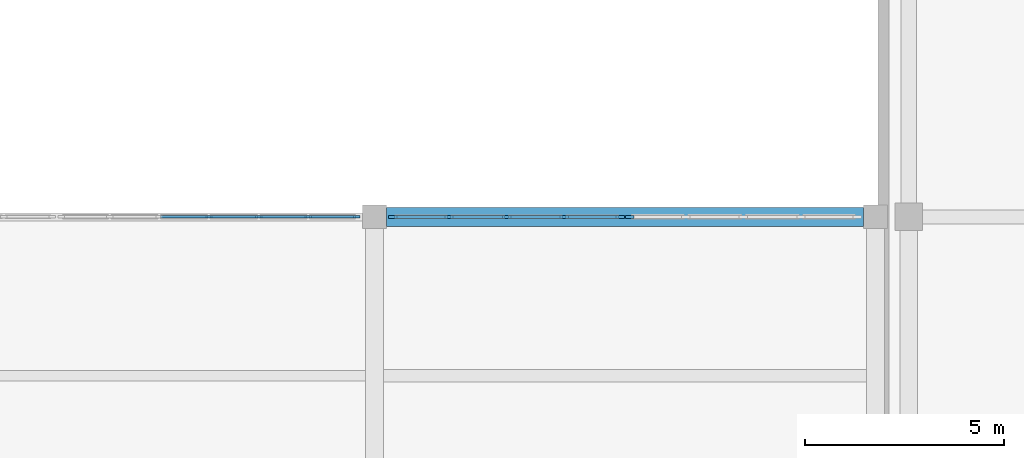
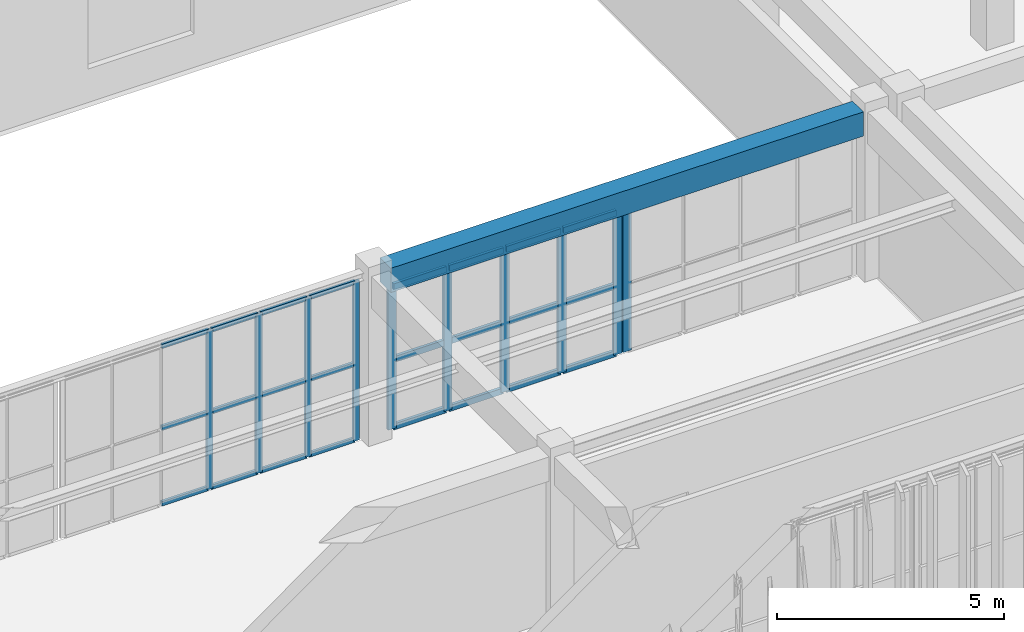
# One storey, part 19 of 64: 34 members, 1 beam, 3 elements without a shape of their own.
"""IFC4 building model written with IfcOpenShell, lengths in metres."""

from ifc_helpers import new_model, si_unit, direction, frame, origin, origin_2d, place, context, subcontext, project, spatial, rectangle, extrude, material, layer, layer_set, material_profile, profile_set, type_object, element, aggregate, save


model = new_model("IFC4")

# Units and contexts
model_context = context("Model", 3, precision=1e-05, world=origin(), true_north=direction((0.0, 1.0)))
body_context = subcontext(model_context, "Body", "Model", "MODEL_VIEW")
ifc_project = project(units=[si_unit("LENGTHUNIT", "METRE"), si_unit("AREAUNIT", "SQUARE_METRE"), si_unit("VOLUMEUNIT", "CUBIC_METRE"), si_unit("PLANEANGLEUNIT", "RADIAN"), si_unit("MASSUNIT", "GRAM", prefix="KILO")], contexts=[model_context])

# Site, building, storey
site_placement = place(None, origin())
site = spatial("IfcSite", under=ifc_project, at=site_placement, CompositionType="ELEMENT")
building_placement = place(site_placement, origin())
building = spatial("IfcBuilding", under=site, at=building_placement, Name="Cinchona Park Media Centre", CompositionType="ELEMENT")
storey_placement = place(building_placement, frame((0.0, 0.0, 5.39990234375)))
storey = spatial("IfcBuildingStorey", under=building, at=storey_placement, Name="L01", CompositionType="ELEMENT", Elevation=5.39990234375)

# Beam
ifc_material_1 = material(Name="Concrete C40/50", Category="concrete")
ifc_material_profile_1 = material_profile(ifc_material_1, rectangle(XDim=0.47998046875, YDim=0.64990234375, at=origin_2d()), Name="RB 480X650")
ifc_profile_set_1 = profile_set([ifc_material_profile_1], Name="Concrete C40/50")
beam_type = type_object("IfcBeamType", Name="BEAM-B07-RB480X650", PredefinedType="BEAM", material=ifc_profile_set_1)
beam_placement = place(storey_placement, frame((127.10009765625, 87.60009765625, 4.215087890625), z_axis=(1.0, 0.0, 0.0), x_axis=(0.0, 1.0, 0.0)))
element("IfcBeam", 1, at=beam_placement, inside=storey, type_object=beam_type, Name="Beam B07 L01", PredefinedType="BEAM", context=body_context, shape_type="SweptSolid", body=[
    extrude(rectangle(XDim=0.47998046875, YDim=0.64990234375, at=origin_2d()), origin(), (0.0, 0.0, 1.0), 12.0),
])

# Curtain wall, members
ifc_material_2 = material(Name="Aluminium Curtain Wall Framing", Category="aluminium")
ifc_layer_1 = layer(ifc_material_2, 0.195068359375)
ifc_layer_set_1 = layer_set([ifc_layer_1], Name="Aluminium Curtain Wall Framing")
curtain_wall_type_1 = type_object("IfcCurtainWallType", Name="CW-CW02", PredefinedType="USERDEFINED", material=ifc_layer_set_1)
curtain_wall_1_placement = place(storey_placement, origin())
curtain_wall_1 = element("IfcCurtainWall", 2, at=curtain_wall_1_placement, inside=storey, type_object=curtain_wall_type_1, Name="Curtain Wall CW02 L01", ObjectType="UNITISED CURTAIN WALL", PredefinedType="USERDEFINED")
ifc_material_3 = material(Name="Anodised Aluminium Alloy 6063-T6", Category="aluminium")
ifc_material_profile_2 = material_profile(ifc_material_3, rectangle(XDim=0.06494140625, YDim=0.159912109375, at=origin_2d()), Name="MUL-65X160")
ifc_profile_set_2 = profile_set([ifc_material_profile_2], Name="Anodised Aluminium Alloy 6063-T6")
member_type_1 = type_object("IfcMemberType", Name="MULLION-MUL01", PredefinedType="MULLION", material=ifc_profile_set_2)
member_1_placement = place(storey_placement, frame((122.6298828125, 87.60009765625, 0.050048828125), z_axis=(0.0, 0.0, 1.0), x_axis=(0.0, 1.0, 0.0)))
member_1 = element("IfcMember", 3, at=member_1_placement, type_object=member_type_1, Name="CW02 mullion 4", PredefinedType="MULLION", context=body_context, shape_type="SweptSolid", body=[
    extrude(rectangle(XDim=0.06494140625, YDim=0.159912109375, at=origin_2d()), origin(), (0.0, 0.0, 1.0), 4.287109375),
])
member_2_placement = place(storey_placement, frame((123.8798828125, 87.60009765625, 0.050048828125), z_axis=(0.0, 0.0, 1.0), x_axis=(0.0, 1.0, 0.0)))
member_2 = element("IfcMember", 4, at=member_2_placement, type_object=member_type_1, Name="CW02 mullion 5", PredefinedType="MULLION", context=body_context, shape_type="SweptSolid", body=[
    extrude(rectangle(XDim=0.06494140625, YDim=0.159912109375, at=origin_2d()), origin(), (0.0, 0.0, 1.0), 4.287109375),
])
member_3_placement = place(storey_placement, frame((125.1298828125, 87.60009765625, 0.050048828125), z_axis=(0.0, 0.0, 1.0), x_axis=(0.0, 1.0, 0.0)))
member_3 = element("IfcMember", 5, at=member_3_placement, type_object=member_type_1, Name="CW02 mullion 6", PredefinedType="MULLION", context=body_context, shape_type="SweptSolid", body=[
    extrude(rectangle(XDim=0.06494140625, YDim=0.159912109375, at=origin_2d()), origin(), (0.0, 0.0, 1.0), 4.287109375),
])
member_4_placement = place(storey_placement, frame((126.347412109375, 87.60009765625, 0.050048828125), z_axis=(0.0, 0.0, 1.0), x_axis=(0.0, 1.0, 0.0)))
member_4 = element("IfcMember", 6, at=member_4_placement, type_object=member_type_1, Name="CW02 mullion 7", PredefinedType="MULLION", context=body_context, shape_type="SweptSolid", body=[
    extrude(rectangle(XDim=0.06494140625, YDim=0.159912109375, at=origin_2d()), origin(), (0.0, 0.0, 1.0), 4.287109375),
])

ifc_material_4 = material(Name="Aluminium Curtain Wall Framing", Category="aluminium")
ifc_layer_2 = layer(ifc_material_4, 0.2099609375)
ifc_layer_set_2 = layer_set([ifc_layer_2], Name="Aluminium Curtain Wall Framing")
curtain_wall_type_2 = type_object("IfcCurtainWallType", Name="CW-CW03", PredefinedType="USERDEFINED", material=ifc_layer_set_2)
curtain_wall_2_placement = place(storey_placement, origin())
curtain_wall_2 = element("IfcCurtainWall", 7, at=curtain_wall_2_placement, inside=storey, type_object=curtain_wall_type_2, Name="Curtain Wall CW03 L01", ObjectType="UNITISED CURTAIN WALL", PredefinedType="USERDEFINED")
ifc_material_5 = material(Name="Anodised Aluminium Alloy 6063-T6", Category="aluminium")
ifc_material_profile_3 = material_profile(ifc_material_5, rectangle(XDim=0.074951171875, YDim=0.2099609375, at=origin_2d()), Name="MUL-75X210")
ifc_profile_set_3 = profile_set([ifc_material_profile_3], Name="Anodised Aluminium Alloy 6063-T6")
member_type_2 = type_object("IfcMemberType", Name="MULLION-MUL03", PredefinedType="MULLION", material=ifc_profile_set_3)
member_5_placement = place(storey_placement, frame((127.257568359375, 87.60009765625, 0.050048828125), z_axis=(0.0, 0.0, 1.0), x_axis=(0.0, 1.0, 0.0)))
member_5 = element("IfcMember", 8, at=member_5_placement, type_object=member_type_2, Name="CW03 mullion 1", PredefinedType="MULLION", context=body_context, shape_type="SweptSolid", body=[
    extrude(rectangle(XDim=0.074951171875, YDim=0.2099609375, at=origin_2d()), origin(), (0.0, 0.0, 1.0), 3.840087890625),
])
member_6_placement = place(storey_placement, frame((128.669921875, 87.60009765625, 0.050048828125), z_axis=(0.0, 0.0, 1.0), x_axis=(0.0, 1.0, 0.0)))
member_6 = element("IfcMember", 9, at=member_6_placement, type_object=member_type_2, Name="CW03 mullion 2", PredefinedType="MULLION", context=body_context, shape_type="SweptSolid", body=[
    extrude(rectangle(XDim=0.074951171875, YDim=0.2099609375, at=origin_2d()), origin(), (0.0, 0.0, 1.0), 3.840087890625),
])
member_7_placement = place(storey_placement, frame((130.1201171875, 87.60009765625, 0.050048828125), z_axis=(0.0, 0.0, 1.0), x_axis=(0.0, 1.0, 0.0)))
member_7 = element("IfcMember", 10, at=member_7_placement, type_object=member_type_2, Name="CW03 mullion 3", PredefinedType="MULLION", context=body_context, shape_type="SweptSolid", body=[
    extrude(rectangle(XDim=0.074951171875, YDim=0.2099609375, at=origin_2d()), origin(), (0.0, 0.0, 1.0), 3.840087890625),
])
member_8_placement = place(storey_placement, frame((131.570068359375, 87.60009765625, 0.050048828125), z_axis=(0.0, 0.0, 1.0), x_axis=(0.0, 1.0, 0.0)))
member_8 = element("IfcMember", 11, at=member_8_placement, type_object=member_type_2, Name="CW03 mullion 4", PredefinedType="MULLION", context=body_context, shape_type="SweptSolid", body=[
    extrude(rectangle(XDim=0.074951171875, YDim=0.2099609375, at=origin_2d()), origin(), (0.0, 0.0, 1.0), 3.840087890625),
])
member_9_placement = place(storey_placement, frame((132.982421875, 87.60009765625, 0.050048828125), z_axis=(0.0, 0.0, 1.0), x_axis=(0.0, 1.0, 0.0)))
member_9 = element("IfcMember", 12, at=member_9_placement, type_object=member_type_2, Name="CW03 mullion 5", PredefinedType="MULLION", context=body_context, shape_type="SweptSolid", body=[
    extrude(rectangle(XDim=0.074951171875, YDim=0.2099609375, at=origin_2d()), origin(), (0.0, 0.0, 1.0), 3.840087890625),
])

# Curtain wall, member
ifc_material_6 = material(Name="Aluminium Curtain Wall Framing", Category="aluminium")
ifc_layer_3 = layer(ifc_material_6, 0.22509765625)
ifc_layer_set_3 = layer_set([ifc_layer_3], Name="Aluminium Curtain Wall Framing")
curtain_wall_type_3 = type_object("IfcCurtainWallType", Name="CW-CW04", PredefinedType="USERDEFINED", material=ifc_layer_set_3)
curtain_wall_3_placement = place(storey_placement, origin())
curtain_wall_3 = element("IfcCurtainWall", 13, at=curtain_wall_3_placement, inside=storey, type_object=curtain_wall_type_3, Name="Curtain Wall CW04 L01", ObjectType="UNITISED CURTAIN WALL", PredefinedType="USERDEFINED")
member_10_placement = place(storey_placement, frame((133.217529296875, 87.60009765625, 0.050048828125), z_axis=(0.0, 0.0, 1.0), x_axis=(0.0, 1.0, 0.0)))
member_10 = element("IfcMember", 14, at=member_10_placement, type_object=member_type_2, Name="CW04 mullion 1", PredefinedType="MULLION", context=body_context, shape_type="SweptSolid", body=[
    extrude(rectangle(XDim=0.074951171875, YDim=0.2099609375, at=origin_2d()), origin(), (0.0, 0.0, 1.0), 3.840087890625),
])
aggregate(curtain_wall_3, [member_10])

# Member
ifc_material_7 = material(Name="Anodised Aluminium Alloy 6063-T6", Category="aluminium")
ifc_material_profile_4 = material_profile(ifc_material_7, rectangle(XDim=0.06494140625, YDim=0.1201171875, at=origin_2d()), Name="TRN-65X120")
ifc_profile_set_4 = profile_set([ifc_material_profile_4], Name="Anodised Aluminium Alloy 6063-T6")
member_type_3 = type_object("IfcMemberType", Name="TRANSOM-TRN01", PredefinedType="USERDEFINED", material=ifc_profile_set_4)
member_11_placement = place(storey_placement, frame((121.41259765625, 87.60009765625, 0.08251953125), z_axis=(1.0, 0.0, 0.0), x_axis=(0.0, 1.0, 0.0)))
member_11 = element("IfcMember", 15, at=member_11_placement, type_object=member_type_3, Name="CW02 transom 3.1", ObjectType="TRANSOM", PredefinedType="USERDEFINED", context=body_context, shape_type="SweptSolid", body=[
    extrude(rectangle(XDim=0.06494140625, YDim=0.1201171875, at=origin_2d()), origin(), (0.0, 0.0, 1.0), 1.184814453125),
])

member_12_placement = place(storey_placement, frame((121.41259765625, 87.60009765625, 2.108154296875), z_axis=(1.0, 0.0, 0.0), x_axis=(0.0, 1.0, 0.0)))
member_12 = element("IfcMember", 16, at=member_12_placement, type_object=member_type_3, Name="CW02 transom 3.2", ObjectType="TRANSOM", PredefinedType="USERDEFINED", context=body_context, shape_type="SweptSolid", body=[
    extrude(rectangle(XDim=0.06494140625, YDim=0.1201171875, at=origin_2d()), origin(), (0.0, 0.0, 1.0), 1.184814453125),
])

member_13_placement = place(storey_placement, frame((121.41259765625, 87.60009765625, 4.3046875), z_axis=(1.0, 0.0, 0.0), x_axis=(0.0, 1.0, 0.0)))
member_13 = element("IfcMember", 17, at=member_13_placement, type_object=member_type_3, Name="CW02 transom 3.3", ObjectType="TRANSOM", PredefinedType="USERDEFINED", context=body_context, shape_type="SweptSolid", body=[
    extrude(rectangle(XDim=0.06494140625, YDim=0.1201171875, at=origin_2d()), origin(), (0.0, 0.0, 1.0), 1.184814453125),
])

member_14_placement = place(storey_placement, frame((122.66259765625, 87.60009765625, 0.08251953125), z_axis=(1.0, 0.0, 0.0), x_axis=(0.0, 1.0, 0.0)))
member_14 = element("IfcMember", 18, at=member_14_placement, type_object=member_type_3, Name="CW02 transom 4.1", ObjectType="TRANSOM", PredefinedType="USERDEFINED", context=body_context, shape_type="SweptSolid", body=[
    extrude(rectangle(XDim=0.06494140625, YDim=0.1201171875, at=origin_2d()), origin(), (0.0, 0.0, 1.0), 1.184814453125),
])

member_15_placement = place(storey_placement, frame((122.66259765625, 87.60009765625, 2.108154296875), z_axis=(1.0, 0.0, 0.0), x_axis=(0.0, 1.0, 0.0)))
member_15 = element("IfcMember", 19, at=member_15_placement, type_object=member_type_3, Name="CW02 transom 4.2", ObjectType="TRANSOM", PredefinedType="USERDEFINED", context=body_context, shape_type="SweptSolid", body=[
    extrude(rectangle(XDim=0.06494140625, YDim=0.1201171875, at=origin_2d()), origin(), (0.0, 0.0, 1.0), 1.184814453125),
])

member_16_placement = place(storey_placement, frame((122.66259765625, 87.60009765625, 4.3046875), z_axis=(1.0, 0.0, 0.0), x_axis=(0.0, 1.0, 0.0)))
member_16 = element("IfcMember", 20, at=member_16_placement, type_object=member_type_3, Name="CW02 transom 4.3", ObjectType="TRANSOM", PredefinedType="USERDEFINED", context=body_context, shape_type="SweptSolid", body=[
    extrude(rectangle(XDim=0.06494140625, YDim=0.1201171875, at=origin_2d()), origin(), (0.0, 0.0, 1.0), 1.184814453125),
])

member_17_placement = place(storey_placement, frame((123.91259765625, 87.60009765625, 0.08251953125), z_axis=(1.0, 0.0, 0.0), x_axis=(0.0, 1.0, 0.0)))
member_17 = element("IfcMember", 21, at=member_17_placement, type_object=member_type_3, Name="CW02 transom 5.1", ObjectType="TRANSOM", PredefinedType="USERDEFINED", context=body_context, shape_type="SweptSolid", body=[
    extrude(rectangle(XDim=0.06494140625, YDim=0.1201171875, at=origin_2d()), origin(), (0.0, 0.0, 1.0), 1.184814453125),
])

member_18_placement = place(storey_placement, frame((123.91259765625, 87.60009765625, 2.108154296875), z_axis=(1.0, 0.0, 0.0), x_axis=(0.0, 1.0, 0.0)))
member_18 = element("IfcMember", 22, at=member_18_placement, type_object=member_type_3, Name="CW02 transom 5.2", ObjectType="TRANSOM", PredefinedType="USERDEFINED", context=body_context, shape_type="SweptSolid", body=[
    extrude(rectangle(XDim=0.06494140625, YDim=0.1201171875, at=origin_2d()), origin(), (0.0, 0.0, 1.0), 1.184814453125),
])

member_19_placement = place(storey_placement, frame((123.91259765625, 87.60009765625, 4.3046875), z_axis=(1.0, 0.0, 0.0), x_axis=(0.0, 1.0, 0.0)))
member_19 = element("IfcMember", 23, at=member_19_placement, type_object=member_type_3, Name="CW02 transom 5.3", ObjectType="TRANSOM", PredefinedType="USERDEFINED", context=body_context, shape_type="SweptSolid", body=[
    extrude(rectangle(XDim=0.06494140625, YDim=0.1201171875, at=origin_2d()), origin(), (0.0, 0.0, 1.0), 1.184814453125),
])

member_20_placement = place(storey_placement, frame((125.16259765625, 87.60009765625, 0.08251953125), z_axis=(1.0, 0.0, 0.0), x_axis=(0.0, 1.0, 0.0)))
member_20 = element("IfcMember", 24, at=member_20_placement, type_object=member_type_3, Name="CW02 transom 6.1", ObjectType="TRANSOM", PredefinedType="USERDEFINED", context=body_context, shape_type="SweptSolid", body=[
    extrude(rectangle(XDim=0.06494140625, YDim=0.1201171875, at=origin_2d()), origin(), (0.0, 0.0, 1.0), 1.15234375),
])

member_21_placement = place(storey_placement, frame((125.16259765625, 87.60009765625, 2.108154296875), z_axis=(1.0, 0.0, 0.0), x_axis=(0.0, 1.0, 0.0)))
member_21 = element("IfcMember", 25, at=member_21_placement, type_object=member_type_3, Name="CW02 transom 6.2", ObjectType="TRANSOM", PredefinedType="USERDEFINED", context=body_context, shape_type="SweptSolid", body=[
    extrude(rectangle(XDim=0.06494140625, YDim=0.1201171875, at=origin_2d()), origin(), (0.0, 0.0, 1.0), 1.15234375),
])

member_22_placement = place(storey_placement, frame((125.16259765625, 87.60009765625, 4.3046875), z_axis=(1.0, 0.0, 0.0), x_axis=(0.0, 1.0, 0.0)))
member_22 = element("IfcMember", 26, at=member_22_placement, type_object=member_type_3, Name="CW02 transom 6.3", ObjectType="TRANSOM", PredefinedType="USERDEFINED", context=body_context, shape_type="SweptSolid", body=[
    extrude(rectangle(XDim=0.06494140625, YDim=0.1201171875, at=origin_2d()), origin(), (0.0, 0.0, 1.0), 1.15234375),
])

aggregate(curtain_wall_1, [member_1, member_2, member_3, member_4, member_11, member_12, member_13, member_14, member_15, member_16, member_17, member_18, member_19, member_20, member_21, member_22])

ifc_material_8 = material(Name="Anodised Aluminium Alloy 6063-T6", Category="aluminium")
ifc_material_profile_5 = material_profile(ifc_material_8, rectangle(XDim=0.074951171875, YDim=0.159912109375, at=origin_2d()), Name="TRN-75X160")
ifc_profile_set_5 = profile_set([ifc_material_profile_5], Name="Anodised Aluminium Alloy 6063-T6")
member_type_4 = type_object("IfcMemberType", Name="TRANSOM-TRN03", PredefinedType="USERDEFINED", material=ifc_profile_set_5)
member_23_placement = place(storey_placement, frame((127.294921875, 87.60009765625, 0.087646484375), z_axis=(1.0, 0.0, 0.0), x_axis=(0.0, 1.0, 0.0)))
member_23 = element("IfcMember", 27, at=member_23_placement, type_object=member_type_4, Name="CW03 transom 1.1", ObjectType="TRANSOM", PredefinedType="USERDEFINED", context=body_context, shape_type="SweptSolid", body=[
    extrude(rectangle(XDim=0.074951171875, YDim=0.159912109375, at=origin_2d()), origin(), (0.0, 0.0, 1.0), 1.337646484375),
])

member_24_placement = place(storey_placement, frame((127.294921875, 87.60009765625, 1.89306640625), z_axis=(1.0, 0.0, 0.0), x_axis=(0.0, 1.0, 0.0)))
member_24 = element("IfcMember", 28, at=member_24_placement, type_object=member_type_4, Name="CW03 transom 1.2", ObjectType="TRANSOM", PredefinedType="USERDEFINED", context=body_context, shape_type="SweptSolid", body=[
    extrude(rectangle(XDim=0.074951171875, YDim=0.159912109375, at=origin_2d()), origin(), (0.0, 0.0, 1.0), 1.337646484375),
])

member_25_placement = place(storey_placement, frame((127.294921875, 87.60009765625, 3.8525390625), z_axis=(1.0, 0.0, 0.0), x_axis=(0.0, 1.0, 0.0)))
member_25 = element("IfcMember", 29, at=member_25_placement, type_object=member_type_4, Name="CW03 transom 1.3", ObjectType="TRANSOM", PredefinedType="USERDEFINED", context=body_context, shape_type="SweptSolid", body=[
    extrude(rectangle(XDim=0.074951171875, YDim=0.159912109375, at=origin_2d()), origin(), (0.0, 0.0, 1.0), 1.337646484375),
])

member_26_placement = place(storey_placement, frame((128.70751953125, 87.60009765625, 0.087646484375), z_axis=(1.0, 0.0, 0.0), x_axis=(0.0, 1.0, 0.0)))
member_26 = element("IfcMember", 30, at=member_26_placement, type_object=member_type_4, Name="CW03 transom 2.1", ObjectType="TRANSOM", PredefinedType="USERDEFINED", context=body_context, shape_type="SweptSolid", body=[
    extrude(rectangle(XDim=0.074951171875, YDim=0.159912109375, at=origin_2d()), origin(), (0.0, 0.0, 1.0), 1.375),
])

member_27_placement = place(storey_placement, frame((128.70751953125, 87.60009765625, 1.89306640625), z_axis=(1.0, 0.0, 0.0), x_axis=(0.0, 1.0, 0.0)))
member_27 = element("IfcMember", 31, at=member_27_placement, type_object=member_type_4, Name="CW03 transom 2.2", ObjectType="TRANSOM", PredefinedType="USERDEFINED", context=body_context, shape_type="SweptSolid", body=[
    extrude(rectangle(XDim=0.074951171875, YDim=0.159912109375, at=origin_2d()), origin(), (0.0, 0.0, 1.0), 1.375),
])

member_28_placement = place(storey_placement, frame((128.70751953125, 87.60009765625, 3.8525390625), z_axis=(1.0, 0.0, 0.0), x_axis=(0.0, 1.0, 0.0)))
member_28 = element("IfcMember", 32, at=member_28_placement, type_object=member_type_4, Name="CW03 transom 2.3", ObjectType="TRANSOM", PredefinedType="USERDEFINED", context=body_context, shape_type="SweptSolid", body=[
    extrude(rectangle(XDim=0.074951171875, YDim=0.159912109375, at=origin_2d()), origin(), (0.0, 0.0, 1.0), 1.375),
])

member_29_placement = place(storey_placement, frame((130.157470703125, 87.60009765625, 0.087646484375), z_axis=(1.0, 0.0, 0.0), x_axis=(0.0, 1.0, 0.0)))
member_29 = element("IfcMember", 33, at=member_29_placement, type_object=member_type_4, Name="CW03 transom 3.1", ObjectType="TRANSOM", PredefinedType="USERDEFINED", context=body_context, shape_type="SweptSolid", body=[
    extrude(rectangle(XDim=0.074951171875, YDim=0.159912109375, at=origin_2d()), origin(), (0.0, 0.0, 1.0), 1.375),
])

member_30_placement = place(storey_placement, frame((130.157470703125, 87.60009765625, 1.89306640625), z_axis=(1.0, 0.0, 0.0), x_axis=(0.0, 1.0, 0.0)))
member_30 = element("IfcMember", 34, at=member_30_placement, type_object=member_type_4, Name="CW03 transom 3.2", ObjectType="TRANSOM", PredefinedType="USERDEFINED", context=body_context, shape_type="SweptSolid", body=[
    extrude(rectangle(XDim=0.074951171875, YDim=0.159912109375, at=origin_2d()), origin(), (0.0, 0.0, 1.0), 1.375),
])

member_31_placement = place(storey_placement, frame((130.157470703125, 87.60009765625, 3.8525390625), z_axis=(1.0, 0.0, 0.0), x_axis=(0.0, 1.0, 0.0)))
member_31 = element("IfcMember", 35, at=member_31_placement, type_object=member_type_4, Name="CW03 transom 3.3", ObjectType="TRANSOM", PredefinedType="USERDEFINED", context=body_context, shape_type="SweptSolid", body=[
    extrude(rectangle(XDim=0.074951171875, YDim=0.159912109375, at=origin_2d()), origin(), (0.0, 0.0, 1.0), 1.375),
])

member_32_placement = place(storey_placement, frame((131.607421875, 87.60009765625, 0.087646484375), z_axis=(1.0, 0.0, 0.0), x_axis=(0.0, 1.0, 0.0)))
member_32 = element("IfcMember", 36, at=member_32_placement, type_object=member_type_4, Name="CW03 transom 4.1", ObjectType="TRANSOM", PredefinedType="USERDEFINED", context=body_context, shape_type="SweptSolid", body=[
    extrude(rectangle(XDim=0.074951171875, YDim=0.159912109375, at=origin_2d()), origin(), (0.0, 0.0, 1.0), 1.337646484375),
])

member_33_placement = place(storey_placement, frame((131.607421875, 87.60009765625, 1.89306640625), z_axis=(1.0, 0.0, 0.0), x_axis=(0.0, 1.0, 0.0)))
member_33 = element("IfcMember", 37, at=member_33_placement, type_object=member_type_4, Name="CW03 transom 4.2", ObjectType="TRANSOM", PredefinedType="USERDEFINED", context=body_context, shape_type="SweptSolid", body=[
    extrude(rectangle(XDim=0.074951171875, YDim=0.159912109375, at=origin_2d()), origin(), (0.0, 0.0, 1.0), 1.337646484375),
])

member_34_placement = place(storey_placement, frame((131.607421875, 87.60009765625, 3.8525390625), z_axis=(1.0, 0.0, 0.0), x_axis=(0.0, 1.0, 0.0)))
member_34 = element("IfcMember", 38, at=member_34_placement, type_object=member_type_4, Name="CW03 transom 4.3", ObjectType="TRANSOM", PredefinedType="USERDEFINED", context=body_context, shape_type="SweptSolid", body=[
    extrude(rectangle(XDim=0.074951171875, YDim=0.159912109375, at=origin_2d()), origin(), (0.0, 0.0, 1.0), 1.337646484375),
])

aggregate(curtain_wall_2, [member_5, member_6, member_7, member_8, member_9, member_23, member_24, member_25, member_26, member_27, member_28, member_29, member_30, member_31, member_32, member_33, member_34])

save(model, "model.ifc")
